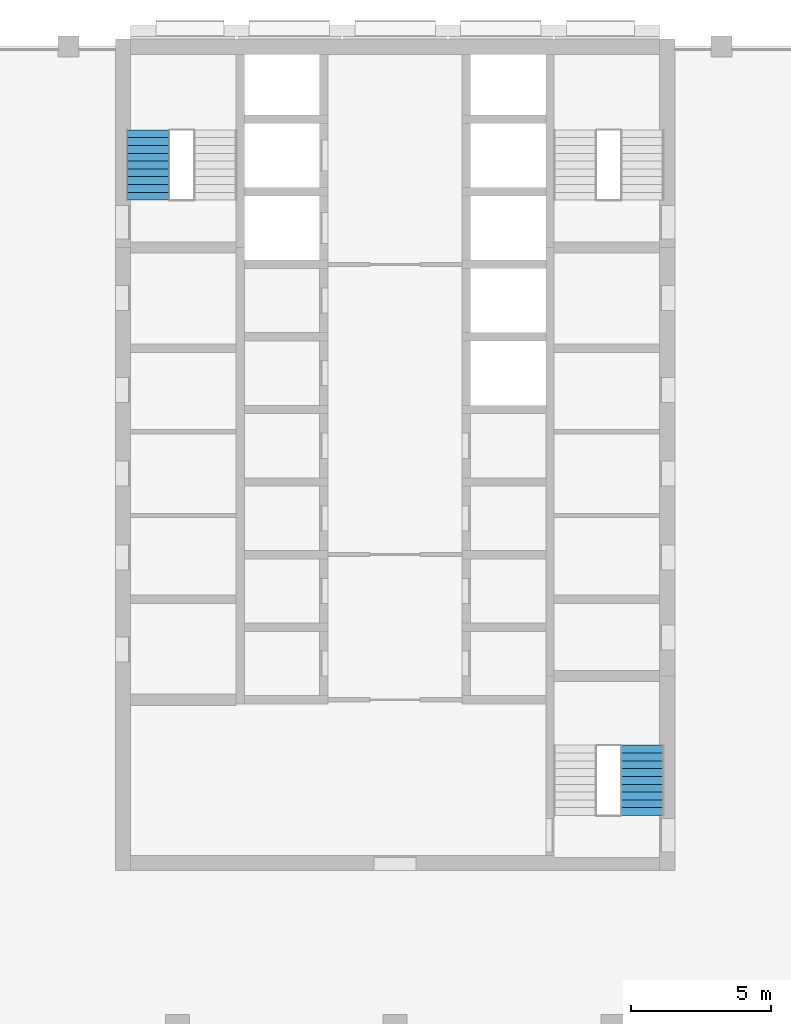
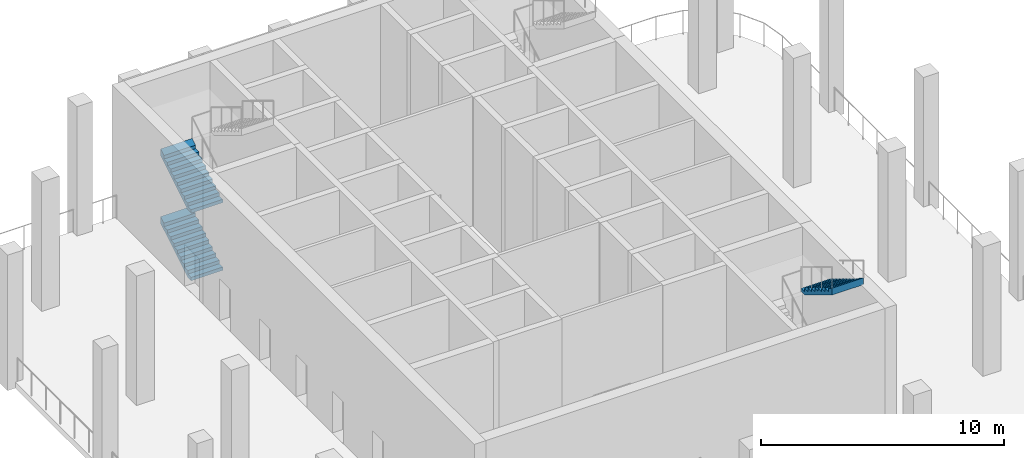
# One storey, part 5 of 10: 3 stair flights, 2 elements without a shape of their own.
"""IFC4 building model written with IfcOpenShell, lengths in metres."""

from ifc_helpers import new_model, si_unit, direction, frame, origin, place, context, subcontext, project, spatial, triangles, material, type_object, element, aggregate, save


model = new_model("IFC4")

# Units and contexts
model_context = context("Model", 3, precision=1e-05, world=origin(), true_north=direction((0.0, 1.0)))
body_context = subcontext(model_context, "Body", "Model", "MODEL_VIEW")
ifc_project = project(units=[si_unit("LENGTHUNIT", "METRE"), si_unit("AREAUNIT", "SQUARE_METRE"), si_unit("VOLUMEUNIT", "CUBIC_METRE"), si_unit("PLANEANGLEUNIT", "RADIAN"), si_unit("MASSUNIT", "GRAM", prefix="KILO")], contexts=[model_context])

# Site, building, storey
site_placement = place(None, origin())
site = spatial("IfcSite", under=ifc_project, at=site_placement, CompositionType="ELEMENT")
building_placement = place(site_placement, origin())
building = spatial("IfcBuilding", under=site, at=building_placement, Name="Ludao Terraces", CompositionType="ELEMENT")
storey_placement = place(building_placement, frame((0.0, 0.0, 172.39990234375)))
storey = spatial("IfcBuildingStorey", under=building, at=storey_placement, Name="L47", CompositionType="ELEMENT", Elevation=172.39990234375)

# Stair, stair flights
ifc_material = material(Name="Concrete C40", Category="concrete")
stair_type = type_object("IfcStairType", Name="INT Stair", PredefinedType="HALF_TURN_STAIR", material=ifc_material)
stair_1_placement = place(storey_placement, origin())
stair_1 = element("IfcStair", 1, at=stair_1_placement, inside=storey, type_object=stair_type, Name="EXIT STAIR 1", PredefinedType="HALF_TURN_STAIR")
stair_flight_type = type_object("IfcStairFlightType", Name="INT Stair flight", PredefinedType="STRAIGHT", material=ifc_material)
stair_flight_1_placement = place(storey_placement, frame((76.14990234375, 79.0, 0.0), z_axis=(0.0, 0.0, 1.0), x_axis=(0.0, 1.0, 0.0)))
stair_flight_1 = element("IfcStairFlight", 2, at=stair_flight_1_placement, type_object=stair_flight_type, Name="ST1 flight 1", NumberOfRisers=10, NumberOfTreads=9, PredefinedType="STRAIGHT", RiserHeight=0.17, TreadLength=0.28, context=body_context, shape_type="Tessellation", body=[
    triangles([(0.0, -0.75, 0.0), (0.0, -0.5, 0.0), (0.0, -0.25, 0.0), (0.0, 0.0, 0.0), (0.0, 0.25, 0.0), (0.0, 0.5, 0.0), (0.0, 0.75, 0.0), (0.0, -0.75, 0.169921875), (0.0, -0.5, 0.169921875), (0.0, -0.25, 0.169921875), (0.0, 0.0, 0.169921875), (0.0, 0.25, 0.169921875), (0.0, 0.5, 0.169921875), (0.0, 0.75, 0.169921875), (0.280029296875, -0.75, 0.169921875), (0.280029296875, -0.5, 0.169921875), (0.280029296875, -0.25, 0.169921875), (0.280029296875, 0.0, 0.169921875), (0.280029296875, 0.25, 0.169921875), (0.280029296875, 0.5, 0.169921875), (0.280029296875, 0.75, 0.169921875), (0.280029296875, -0.75, 0.340087890625), (0.280029296875, -0.5, 0.340087890625), (0.280029296875, -0.25, 0.340087890625), (0.280029296875, 0.0, 0.340087890625), (0.280029296875, 0.25, 0.340087890625), (0.280029296875, 0.5, 0.340087890625), (0.280029296875, 0.75, 0.340087890625), (0.56005859375, -0.75, 0.340087890625), (0.56005859375, -0.5, 0.340087890625), (0.56005859375, -0.25, 0.340087890625), (0.56005859375, 0.0, 0.340087890625), (0.56005859375, 0.25, 0.340087890625), (0.56005859375, 0.5, 0.340087890625), (0.56005859375, 0.75, 0.340087890625), (0.56005859375, -0.75, 0.510009765625), (0.56005859375, -0.5, 0.510009765625), (0.56005859375, -0.25, 0.510009765625), (0.56005859375, 0.0, 0.510009765625), (0.56005859375, 0.25, 0.510009765625), (0.56005859375, 0.5, 0.510009765625), (0.56005859375, 0.75, 0.510009765625), (0.840087890625, -0.75, 0.510009765625), (0.840087890625, -0.5, 0.510009765625), (0.840087890625, -0.25, 0.510009765625), (0.840087890625, 0.0, 0.510009765625), (0.840087890625, 0.25, 0.510009765625), (0.840087890625, 0.5, 0.510009765625), (0.840087890625, 0.75, 0.510009765625), (0.840087890625, -0.75, 0.679931640625), (0.840087890625, -0.5, 0.679931640625), (0.840087890625, -0.25, 0.679931640625), (0.840087890625, 0.0, 0.679931640625), (0.840087890625, 0.25, 0.679931640625), (0.840087890625, 0.5, 0.679931640625), (0.840087890625, 0.75, 0.679931640625), (1.1201171875, -0.75, 0.679931640625), (1.1201171875, -0.5, 0.679931640625), (1.1201171875, -0.25, 0.679931640625), (1.1201171875, 0.0, 0.679931640625), (1.1201171875, 0.25, 0.679931640625), (1.1201171875, 0.5, 0.679931640625), (1.1201171875, 0.75, 0.679931640625), (1.1201171875, -0.75, 0.85009765625), (1.1201171875, -0.5, 0.85009765625), (1.1201171875, -0.25, 0.85009765625), (1.1201171875, 0.0, 0.85009765625), (1.1201171875, 0.25, 0.85009765625), (1.1201171875, 0.5, 0.85009765625), (1.1201171875, 0.75, 0.85009765625), (1.39990234375, -0.75, 0.85009765625), (1.39990234375, -0.5, 0.85009765625), (1.39990234375, -0.25, 0.85009765625), (1.39990234375, 0.0, 0.85009765625), (1.39990234375, 0.25, 0.85009765625), (1.39990234375, 0.5, 0.85009765625), (1.39990234375, 0.75, 0.85009765625), (1.39990234375, -0.75, 1.02001953125), (1.39990234375, -0.5, 1.02001953125), (1.39990234375, -0.25, 1.02001953125), (1.39990234375, 0.0, 1.02001953125), (1.39990234375, 0.25, 1.02001953125), (1.39990234375, 0.5, 1.02001953125), (1.39990234375, 0.75, 1.02001953125), (1.679931640625, -0.75, 1.02001953125), (1.679931640625, -0.5, 1.02001953125), (1.679931640625, -0.25, 1.02001953125), (1.679931640625, 0.0, 1.02001953125), (1.679931640625, 0.25, 1.02001953125), (1.679931640625, 0.5, 1.02001953125), (1.679931640625, 0.75, 1.02001953125), (1.679931640625, -0.75, 1.18994140625), (1.679931640625, -0.5, 1.18994140625), (1.679931640625, -0.25, 1.18994140625), (1.679931640625, 0.0, 1.18994140625), (1.679931640625, 0.25, 1.18994140625), (1.679931640625, 0.5, 1.18994140625), (1.679931640625, 0.75, 1.18994140625), (1.9599609375, -0.75, 1.18994140625), (1.9599609375, -0.5, 1.18994140625), (1.9599609375, -0.25, 1.18994140625), (1.9599609375, 0.0, 1.18994140625), (1.9599609375, 0.25, 1.18994140625), (1.9599609375, 0.5, 1.18994140625), (1.9599609375, 0.75, 1.18994140625), (1.9599609375, -0.75, 1.360107421875), (1.9599609375, -0.5, 1.360107421875), (1.9599609375, -0.25, 1.360107421875), (1.9599609375, 0.0, 1.360107421875), (1.9599609375, 0.25, 1.360107421875), (1.9599609375, 0.5, 1.360107421875), (1.9599609375, 0.75, 1.360107421875), (2.239990234375, -0.75, 1.360107421875), (2.239990234375, -0.5, 1.360107421875), (2.239990234375, -0.25, 1.360107421875), (2.239990234375, 0.0, 1.360107421875), (2.239990234375, 0.25, 1.360107421875), (2.239990234375, 0.5, 1.360107421875), (2.239990234375, 0.75, 1.360107421875), (2.239990234375, -0.75, 1.530029296875), (2.239990234375, -0.5, 1.530029296875), (2.239990234375, -0.25, 1.530029296875), (2.239990234375, 0.0, 1.530029296875), (2.239990234375, 0.25, 1.530029296875), (2.239990234375, 0.5, 1.530029296875), (2.239990234375, 0.75, 1.530029296875), (2.52001953125, -0.75, 1.699951171875), (2.52001953125, -0.5, 1.699951171875), (2.52001953125, -0.25, 1.699951171875), (2.52001953125, 0.0, 1.699951171875), (2.52001953125, 0.25, 1.699951171875), (2.52001953125, 0.5, 1.699951171875), (2.52001953125, 0.75, 1.699951171875), (2.52001953125, -0.75, 1.354736328125), (2.52001953125, -0.5, 1.354736328125), (2.52001953125, -0.25, 1.354736328125), (2.52001953125, 0.0, 1.354736328125), (2.52001953125, 0.25, 1.354736328125), (2.52001953125, 0.5, 1.354736328125), (2.52001953125, 0.75, 1.354736328125), (0.288818359375, -0.75, 0.0), (0.288818359375, -0.5, 0.0), (0.288818359375, -0.25, 0.0), (0.288818359375, 0.0, 0.0), (0.288818359375, 0.25, 0.0), (0.288818359375, 0.5, 0.0), (0.288818359375, 0.75, 0.0)], [[1, 141, 134], [7, 140, 147], [134, 127, 120], [140, 126, 133], [134, 120, 113], [140, 119, 126], [134, 113, 106], [140, 112, 119], [134, 106, 99], [140, 105, 112], [99, 92, 85], [105, 91, 98], [134, 99, 85], [140, 91, 105], [85, 78, 71], [91, 77, 84], [134, 85, 71], [140, 77, 91], [71, 64, 57], [77, 63, 70], [134, 71, 57], [140, 63, 77], [57, 50, 43], [63, 49, 56], [134, 57, 43], [140, 49, 63], [43, 36, 29], [49, 35, 42], [134, 43, 29], [140, 35, 49], [29, 22, 15], [35, 21, 28], [134, 29, 15], [140, 21, 35], [1, 134, 15], [7, 21, 140], [15, 8, 1], [21, 7, 14], [1, 9, 2], [1, 8, 9], [2, 10, 3], [2, 9, 10], [3, 11, 4], [3, 10, 11], [4, 12, 5], [4, 11, 12], [5, 13, 6], [5, 12, 13], [6, 14, 7], [6, 13, 14], [8, 16, 9], [8, 15, 16], [9, 17, 10], [9, 16, 17], [10, 18, 11], [10, 17, 18], [11, 19, 12], [11, 18, 19], [12, 20, 13], [12, 19, 20], [13, 21, 14], [13, 20, 21], [15, 23, 16], [15, 22, 23], [16, 24, 17], [16, 23, 24], [17, 25, 18], [17, 24, 25], [18, 26, 19], [18, 25, 26], [19, 27, 20], [19, 26, 27], [20, 28, 21], [20, 27, 28], [22, 30, 23], [22, 29, 30], [23, 31, 24], [23, 30, 31], [24, 32, 25], [24, 31, 32], [25, 33, 26], [25, 32, 33], [26, 34, 27], [26, 33, 34], [27, 35, 28], [27, 34, 35], [29, 37, 30], [29, 36, 37], [30, 38, 31], [30, 37, 38], [31, 39, 32], [31, 38, 39], [32, 40, 33], [32, 39, 40], [33, 41, 34], [33, 40, 41], [34, 42, 35], [34, 41, 42], [36, 44, 37], [36, 43, 44], [37, 45, 38], [37, 44, 45], [38, 46, 39], [38, 45, 46], [39, 47, 40], [39, 46, 47], [40, 48, 41], [40, 47, 48], [41, 49, 42], [41, 48, 49], [43, 51, 44], [43, 50, 51], [44, 52, 45], [44, 51, 52], [45, 53, 46], [45, 52, 53], [46, 54, 47], [46, 53, 54], [47, 55, 48], [47, 54, 55], [48, 56, 49], [48, 55, 56], [50, 58, 51], [50, 57, 58], [51, 59, 52], [51, 58, 59], [52, 60, 53], [52, 59, 60], [53, 61, 54], [53, 60, 61], [54, 62, 55], [54, 61, 62], [55, 63, 56], [55, 62, 63], [57, 65, 58], [57, 64, 65], [58, 66, 59], [58, 65, 66], [59, 67, 60], [59, 66, 67], [60, 68, 61], [60, 67, 68], [61, 69, 62], [61, 68, 69], [62, 70, 63], [62, 69, 70], [64, 72, 65], [64, 71, 72], [65, 73, 66], [65, 72, 73], [66, 74, 67], [66, 73, 74], [67, 75, 68], [67, 74, 75], [68, 76, 69], [68, 75, 76], [69, 77, 70], [69, 76, 77], [71, 79, 72], [71, 78, 79], [72, 80, 73], [72, 79, 80], [73, 81, 74], [73, 80, 81], [74, 82, 75], [74, 81, 82], [75, 83, 76], [75, 82, 83], [76, 84, 77], [76, 83, 84], [78, 86, 79], [78, 85, 86], [79, 87, 80], [79, 86, 87], [80, 88, 81], [80, 87, 88], [81, 89, 82], [81, 88, 89], [82, 90, 83], [82, 89, 90], [83, 91, 84], [83, 90, 91], [85, 93, 86], [85, 92, 93], [86, 94, 87], [86, 93, 94], [87, 95, 88], [87, 94, 95], [88, 96, 89], [88, 95, 96], [89, 97, 90], [89, 96, 97], [90, 98, 91], [90, 97, 98], [92, 100, 93], [92, 99, 100], [93, 101, 94], [93, 100, 101], [94, 102, 95], [94, 101, 102], [95, 103, 96], [95, 102, 103], [96, 104, 97], [96, 103, 104], [97, 105, 98], [97, 104, 105], [99, 107, 100], [99, 106, 107], [100, 108, 101], [100, 107, 108], [101, 109, 102], [101, 108, 109], [102, 110, 103], [102, 109, 110], [103, 111, 104], [103, 110, 111], [104, 112, 105], [104, 111, 112], [106, 114, 107], [106, 113, 114], [107, 115, 108], [107, 114, 115], [108, 116, 109], [108, 115, 116], [109, 117, 110], [109, 116, 117], [110, 118, 111], [110, 117, 118], [111, 119, 112], [111, 118, 119], [113, 121, 114], [113, 120, 121], [114, 122, 115], [114, 121, 122], [115, 123, 116], [115, 122, 123], [116, 124, 117], [116, 123, 124], [117, 125, 118], [117, 124, 125], [118, 126, 119], [118, 125, 126], [120, 128, 121], [120, 127, 128], [121, 129, 122], [121, 128, 129], [122, 130, 123], [122, 129, 130], [123, 131, 124], [123, 130, 131], [124, 132, 125], [124, 131, 132], [125, 133, 126], [125, 132, 133], [127, 135, 128], [127, 134, 135], [128, 136, 129], [128, 135, 136], [129, 137, 130], [129, 136, 137], [130, 138, 131], [130, 137, 138], [131, 139, 132], [131, 138, 139], [132, 140, 133], [132, 139, 140], [134, 142, 135], [134, 141, 142], [135, 143, 136], [135, 142, 143], [136, 144, 137], [136, 143, 144], [137, 145, 138], [137, 144, 145], [138, 146, 139], [138, 145, 146], [139, 147, 140], [139, 146, 147], [141, 2, 142], [141, 1, 2], [142, 3, 143], [142, 2, 3], [143, 4, 144], [143, 3, 4], [144, 5, 145], [144, 4, 5], [145, 6, 146], [145, 5, 6], [146, 7, 147], [146, 6, 7]], closed=True),
])
stair_flight_2_placement = place(storey_placement, frame((76.14990234375, 79.0, 3.400146484375), z_axis=(0.0, 0.0, 1.0), x_axis=(0.0, 1.0, 0.0)))
stair_flight_2 = element("IfcStairFlight", 3, at=stair_flight_2_placement, type_object=stair_flight_type, Name="ST1 flight 3", NumberOfRisers=10, NumberOfTreads=9, PredefinedType="STRAIGHT", RiserHeight=0.17, TreadLength=0.28, context=body_context, shape_type="Tessellation", body=[
    triangles([(0.0, -0.75, 0.0), (0.0, -0.5, 0.0), (0.0, -0.25, 0.0), (0.0, 0.0, 0.0), (0.0, 0.25, 0.0), (0.0, 0.5, 0.0), (0.0, 0.75, 0.0), (0.0, -0.75, 0.169921875), (0.0, -0.5, 0.169921875), (0.0, -0.25, 0.169921875), (0.0, 0.0, 0.169921875), (0.0, 0.25, 0.169921875), (0.0, 0.5, 0.169921875), (0.0, 0.75, 0.169921875), (0.280029296875, -0.75, 0.169921875), (0.280029296875, -0.5, 0.169921875), (0.280029296875, -0.25, 0.169921875), (0.280029296875, 0.0, 0.169921875), (0.280029296875, 0.25, 0.169921875), (0.280029296875, 0.5, 0.169921875), (0.280029296875, 0.75, 0.169921875), (0.280029296875, -0.75, 0.340087890625), (0.280029296875, -0.5, 0.340087890625), (0.280029296875, -0.25, 0.340087890625), (0.280029296875, 0.0, 0.340087890625), (0.280029296875, 0.25, 0.340087890625), (0.280029296875, 0.5, 0.340087890625), (0.280029296875, 0.75, 0.340087890625), (0.56005859375, -0.75, 0.340087890625), (0.56005859375, -0.5, 0.340087890625), (0.56005859375, -0.25, 0.340087890625), (0.56005859375, 0.0, 0.340087890625), (0.56005859375, 0.25, 0.340087890625), (0.56005859375, 0.5, 0.340087890625), (0.56005859375, 0.75, 0.340087890625), (0.56005859375, -0.75, 0.510009765625), (0.56005859375, -0.5, 0.510009765625), (0.56005859375, -0.25, 0.510009765625), (0.56005859375, 0.0, 0.510009765625), (0.56005859375, 0.25, 0.510009765625), (0.56005859375, 0.5, 0.510009765625), (0.56005859375, 0.75, 0.510009765625), (0.840087890625, -0.75, 0.510009765625), (0.840087890625, -0.5, 0.510009765625), (0.840087890625, -0.25, 0.510009765625), (0.840087890625, 0.0, 0.510009765625), (0.840087890625, 0.25, 0.510009765625), (0.840087890625, 0.5, 0.510009765625), (0.840087890625, 0.75, 0.510009765625), (0.840087890625, -0.75, 0.679931640625), (0.840087890625, -0.5, 0.679931640625), (0.840087890625, -0.25, 0.679931640625), (0.840087890625, 0.0, 0.679931640625), (0.840087890625, 0.25, 0.679931640625), (0.840087890625, 0.5, 0.679931640625), (0.840087890625, 0.75, 0.679931640625), (1.1201171875, -0.75, 0.679931640625), (1.1201171875, -0.5, 0.679931640625), (1.1201171875, -0.25, 0.679931640625), (1.1201171875, 0.0, 0.679931640625), (1.1201171875, 0.25, 0.679931640625), (1.1201171875, 0.5, 0.679931640625), (1.1201171875, 0.75, 0.679931640625), (1.1201171875, -0.75, 0.85009765625), (1.1201171875, -0.5, 0.85009765625), (1.1201171875, -0.25, 0.85009765625), (1.1201171875, 0.0, 0.85009765625), (1.1201171875, 0.25, 0.85009765625), (1.1201171875, 0.5, 0.85009765625), (1.1201171875, 0.75, 0.85009765625), (1.39990234375, -0.75, 0.85009765625), (1.39990234375, -0.5, 0.85009765625), (1.39990234375, -0.25, 0.85009765625), (1.39990234375, 0.0, 0.85009765625), (1.39990234375, 0.25, 0.85009765625), (1.39990234375, 0.5, 0.85009765625), (1.39990234375, 0.75, 0.85009765625), (1.39990234375, -0.75, 1.02001953125), (1.39990234375, -0.5, 1.02001953125), (1.39990234375, -0.25, 1.02001953125), (1.39990234375, 0.0, 1.02001953125), (1.39990234375, 0.25, 1.02001953125), (1.39990234375, 0.5, 1.02001953125), (1.39990234375, 0.75, 1.02001953125), (1.679931640625, -0.75, 1.02001953125), (1.679931640625, -0.5, 1.02001953125), (1.679931640625, -0.25, 1.02001953125), (1.679931640625, 0.0, 1.02001953125), (1.679931640625, 0.25, 1.02001953125), (1.679931640625, 0.5, 1.02001953125), (1.679931640625, 0.75, 1.02001953125), (1.679931640625, -0.75, 1.18994140625), (1.679931640625, -0.5, 1.18994140625), (1.679931640625, -0.25, 1.18994140625), (1.679931640625, 0.0, 1.18994140625), (1.679931640625, 0.25, 1.18994140625), (1.679931640625, 0.5, 1.18994140625), (1.679931640625, 0.75, 1.18994140625), (1.9599609375, -0.75, 1.18994140625), (1.9599609375, -0.5, 1.18994140625), (1.9599609375, -0.25, 1.18994140625), (1.9599609375, 0.0, 1.18994140625), (1.9599609375, 0.25, 1.18994140625), (1.9599609375, 0.5, 1.18994140625), (1.9599609375, 0.75, 1.18994140625), (1.9599609375, -0.75, 1.360107421875), (1.9599609375, -0.5, 1.360107421875), (1.9599609375, -0.25, 1.360107421875), (1.9599609375, 0.0, 1.360107421875), (1.9599609375, 0.25, 1.360107421875), (1.9599609375, 0.5, 1.360107421875), (1.9599609375, 0.75, 1.360107421875), (2.239990234375, -0.75, 1.360107421875), (2.239990234375, -0.5, 1.360107421875), (2.239990234375, -0.25, 1.360107421875), (2.239990234375, 0.0, 1.360107421875), (2.239990234375, 0.25, 1.360107421875), (2.239990234375, 0.5, 1.360107421875), (2.239990234375, 0.75, 1.360107421875), (2.239990234375, -0.75, 1.530029296875), (2.239990234375, -0.5, 1.530029296875), (2.239990234375, -0.25, 1.530029296875), (2.239990234375, 0.0, 1.530029296875), (2.239990234375, 0.25, 1.530029296875), (2.239990234375, 0.5, 1.530029296875), (2.239990234375, 0.75, 1.530029296875), (2.52001953125, -0.75, 1.699951171875), (2.52001953125, -0.5, 1.699951171875), (2.52001953125, -0.25, 1.699951171875), (2.52001953125, 0.0, 1.699951171875), (2.52001953125, 0.25, 1.699951171875), (2.52001953125, 0.5, 1.699951171875), (2.52001953125, 0.75, 1.699951171875), (2.52001953125, -0.75, 1.354736328125), (2.52001953125, -0.5, 1.354736328125), (2.52001953125, -0.25, 1.354736328125), (2.52001953125, 0.0, 1.354736328125), (2.52001953125, 0.25, 1.354736328125), (2.52001953125, 0.5, 1.354736328125), (2.52001953125, 0.75, 1.354736328125), (0.288818359375, -0.75, 0.0), (0.288818359375, -0.5, 0.0), (0.288818359375, -0.25, 0.0), (0.288818359375, 0.0, 0.0), (0.288818359375, 0.25, 0.0), (0.288818359375, 0.5, 0.0), (0.288818359375, 0.75, 0.0)], [[1, 141, 134], [7, 140, 147], [134, 127, 120], [140, 126, 133], [134, 120, 113], [140, 119, 126], [134, 113, 106], [140, 112, 119], [134, 106, 99], [140, 105, 112], [99, 92, 85], [105, 91, 98], [134, 99, 85], [140, 91, 105], [85, 78, 71], [91, 77, 84], [134, 85, 71], [140, 77, 91], [71, 64, 57], [77, 63, 70], [134, 71, 57], [140, 63, 77], [57, 50, 43], [63, 49, 56], [134, 57, 43], [140, 49, 63], [43, 36, 29], [49, 35, 42], [134, 43, 29], [140, 35, 49], [29, 22, 15], [35, 21, 28], [134, 29, 15], [140, 21, 35], [1, 134, 15], [7, 21, 140], [15, 8, 1], [21, 7, 14], [1, 9, 2], [1, 8, 9], [2, 10, 3], [2, 9, 10], [3, 11, 4], [3, 10, 11], [4, 12, 5], [4, 11, 12], [5, 13, 6], [5, 12, 13], [6, 14, 7], [6, 13, 14], [8, 16, 9], [8, 15, 16], [9, 17, 10], [9, 16, 17], [10, 18, 11], [10, 17, 18], [11, 19, 12], [11, 18, 19], [12, 20, 13], [12, 19, 20], [13, 21, 14], [13, 20, 21], [15, 23, 16], [15, 22, 23], [16, 24, 17], [16, 23, 24], [17, 25, 18], [17, 24, 25], [18, 26, 19], [18, 25, 26], [19, 27, 20], [19, 26, 27], [20, 28, 21], [20, 27, 28], [22, 30, 23], [22, 29, 30], [23, 31, 24], [23, 30, 31], [24, 32, 25], [24, 31, 32], [25, 33, 26], [25, 32, 33], [26, 34, 27], [26, 33, 34], [27, 35, 28], [27, 34, 35], [29, 37, 30], [29, 36, 37], [30, 38, 31], [30, 37, 38], [31, 39, 32], [31, 38, 39], [32, 40, 33], [32, 39, 40], [33, 41, 34], [33, 40, 41], [34, 42, 35], [34, 41, 42], [36, 44, 37], [36, 43, 44], [37, 45, 38], [37, 44, 45], [38, 46, 39], [38, 45, 46], [39, 47, 40], [39, 46, 47], [40, 48, 41], [40, 47, 48], [41, 49, 42], [41, 48, 49], [43, 51, 44], [43, 50, 51], [44, 52, 45], [44, 51, 52], [45, 53, 46], [45, 52, 53], [46, 54, 47], [46, 53, 54], [47, 55, 48], [47, 54, 55], [48, 56, 49], [48, 55, 56], [50, 58, 51], [50, 57, 58], [51, 59, 52], [51, 58, 59], [52, 60, 53], [52, 59, 60], [53, 61, 54], [53, 60, 61], [54, 62, 55], [54, 61, 62], [55, 63, 56], [55, 62, 63], [57, 65, 58], [57, 64, 65], [58, 66, 59], [58, 65, 66], [59, 67, 60], [59, 66, 67], [60, 68, 61], [60, 67, 68], [61, 69, 62], [61, 68, 69], [62, 70, 63], [62, 69, 70], [64, 72, 65], [64, 71, 72], [65, 73, 66], [65, 72, 73], [66, 74, 67], [66, 73, 74], [67, 75, 68], [67, 74, 75], [68, 76, 69], [68, 75, 76], [69, 77, 70], [69, 76, 77], [71, 79, 72], [71, 78, 79], [72, 80, 73], [72, 79, 80], [73, 81, 74], [73, 80, 81], [74, 82, 75], [74, 81, 82], [75, 83, 76], [75, 82, 83], [76, 84, 77], [76, 83, 84], [78, 86, 79], [78, 85, 86], [79, 87, 80], [79, 86, 87], [80, 88, 81], [80, 87, 88], [81, 89, 82], [81, 88, 89], [82, 90, 83], [82, 89, 90], [83, 91, 84], [83, 90, 91], [85, 93, 86], [85, 92, 93], [86, 94, 87], [86, 93, 94], [87, 95, 88], [87, 94, 95], [88, 96, 89], [88, 95, 96], [89, 97, 90], [89, 96, 97], [90, 98, 91], [90, 97, 98], [92, 100, 93], [92, 99, 100], [93, 101, 94], [93, 100, 101], [94, 102, 95], [94, 101, 102], [95, 103, 96], [95, 102, 103], [96, 104, 97], [96, 103, 104], [97, 105, 98], [97, 104, 105], [99, 107, 100], [99, 106, 107], [100, 108, 101], [100, 107, 108], [101, 109, 102], [101, 108, 109], [102, 110, 103], [102, 109, 110], [103, 111, 104], [103, 110, 111], [104, 112, 105], [104, 111, 112], [106, 114, 107], [106, 113, 114], [107, 115, 108], [107, 114, 115], [108, 116, 109], [108, 115, 116], [109, 117, 110], [109, 116, 117], [110, 118, 111], [110, 117, 118], [111, 119, 112], [111, 118, 119], [113, 121, 114], [113, 120, 121], [114, 122, 115], [114, 121, 122], [115, 123, 116], [115, 122, 123], [116, 124, 117], [116, 123, 124], [117, 125, 118], [117, 124, 125], [118, 126, 119], [118, 125, 126], [120, 128, 121], [120, 127, 128], [121, 129, 122], [121, 128, 129], [122, 130, 123], [122, 129, 130], [123, 131, 124], [123, 130, 131], [124, 132, 125], [124, 131, 132], [125, 133, 126], [125, 132, 133], [127, 135, 128], [127, 134, 135], [128, 136, 129], [128, 135, 136], [129, 137, 130], [129, 136, 137], [130, 138, 131], [130, 137, 138], [131, 139, 132], [131, 138, 139], [132, 140, 133], [132, 139, 140], [134, 142, 135], [134, 141, 142], [135, 143, 136], [135, 142, 143], [136, 144, 137], [136, 143, 144], [137, 145, 138], [137, 144, 145], [138, 146, 139], [138, 145, 146], [139, 147, 140], [139, 146, 147], [141, 2, 142], [141, 1, 2], [142, 3, 143], [142, 2, 3], [143, 4, 144], [143, 3, 4], [144, 5, 145], [144, 4, 5], [145, 6, 146], [145, 5, 6], [146, 7, 147], [146, 6, 7]], closed=True),
])
aggregate(stair_1, [stair_flight_1, stair_flight_2])

# Stair, stair flight
stair_2_placement = place(storey_placement, origin())
stair_2 = element("IfcStair", 4, at=stair_2_placement, inside=storey, type_object=stair_type, Name="EXIT STAIR 3", PredefinedType="HALF_TURN_STAIR")
stair_flight_3_placement = place(storey_placement, frame((93.85009765625, 59.469970703125, 5.10009765625), z_axis=(0.0, 0.0, 1.0), x_axis=(0.0, -1.0, 0.0)))
stair_flight_3 = element("IfcStairFlight", 5, at=stair_flight_3_placement, type_object=stair_flight_type, Name="ST3 flight 4", NumberOfRisers=10, NumberOfTreads=9, PredefinedType="STRAIGHT", RiserHeight=0.17, TreadLength=0.28, context=body_context, shape_type="Tessellation", body=[
    triangles([(0.0, -0.75, 0.0), (0.0, -0.5, 0.0), (0.0, -0.25, 0.0), (0.0, 0.0, 0.0), (0.0, 0.25, 0.0), (0.0, 0.5, 0.0), (0.0, 0.75, 0.0), (0.0, -0.75, 0.169921875), (0.0, -0.5, 0.169921875), (0.0, -0.25, 0.169921875), (0.0, 0.0, 0.169921875), (0.0, 0.25, 0.169921875), (0.0, 0.5, 0.169921875), (0.0, 0.75, 0.169921875), (0.280029296875, -0.75, 0.169921875), (0.280029296875, -0.5, 0.169921875), (0.280029296875, -0.25, 0.169921875), (0.280029296875, 0.0, 0.169921875), (0.280029296875, 0.25, 0.169921875), (0.280029296875, 0.5, 0.169921875), (0.280029296875, 0.75, 0.169921875), (0.280029296875, -0.75, 0.340087890625), (0.280029296875, -0.5, 0.340087890625), (0.280029296875, -0.25, 0.340087890625), (0.280029296875, 0.0, 0.340087890625), (0.280029296875, 0.25, 0.340087890625), (0.280029296875, 0.5, 0.340087890625), (0.280029296875, 0.75, 0.340087890625), (0.56005859375, -0.75, 0.340087890625), (0.56005859375, -0.5, 0.340087890625), (0.56005859375, -0.25, 0.340087890625), (0.56005859375, 0.0, 0.340087890625), (0.56005859375, 0.25, 0.340087890625), (0.56005859375, 0.5, 0.340087890625), (0.56005859375, 0.75, 0.340087890625), (0.56005859375, -0.75, 0.510009765625), (0.56005859375, -0.5, 0.510009765625), (0.56005859375, -0.25, 0.510009765625), (0.56005859375, 0.0, 0.510009765625), (0.56005859375, 0.25, 0.510009765625), (0.56005859375, 0.5, 0.510009765625), (0.56005859375, 0.75, 0.510009765625), (0.840087890625, -0.75, 0.510009765625), (0.840087890625, -0.5, 0.510009765625), (0.840087890625, -0.25, 0.510009765625), (0.840087890625, 0.0, 0.510009765625), (0.840087890625, 0.25, 0.510009765625), (0.840087890625, 0.5, 0.510009765625), (0.840087890625, 0.75, 0.510009765625), (0.840087890625, -0.75, 0.679931640625), (0.840087890625, -0.5, 0.679931640625), (0.840087890625, -0.25, 0.679931640625), (0.840087890625, 0.0, 0.679931640625), (0.840087890625, 0.25, 0.679931640625), (0.840087890625, 0.5, 0.679931640625), (0.840087890625, 0.75, 0.679931640625), (1.1201171875, -0.75, 0.679931640625), (1.1201171875, -0.5, 0.679931640625), (1.1201171875, -0.25, 0.679931640625), (1.1201171875, 0.0, 0.679931640625), (1.1201171875, 0.25, 0.679931640625), (1.1201171875, 0.5, 0.679931640625), (1.1201171875, 0.75, 0.679931640625), (1.1201171875, -0.75, 0.85009765625), (1.1201171875, -0.5, 0.85009765625), (1.1201171875, -0.25, 0.85009765625), (1.1201171875, 0.0, 0.85009765625), (1.1201171875, 0.25, 0.85009765625), (1.1201171875, 0.5, 0.85009765625), (1.1201171875, 0.75, 0.85009765625), (1.39990234375, -0.75, 0.85009765625), (1.39990234375, -0.5, 0.85009765625), (1.39990234375, -0.25, 0.85009765625), (1.39990234375, 0.0, 0.85009765625), (1.39990234375, 0.25, 0.85009765625), (1.39990234375, 0.5, 0.85009765625), (1.39990234375, 0.75, 0.85009765625), (1.39990234375, -0.75, 1.02001953125), (1.39990234375, -0.5, 1.02001953125), (1.39990234375, -0.25, 1.02001953125), (1.39990234375, 0.0, 1.02001953125), (1.39990234375, 0.25, 1.02001953125), (1.39990234375, 0.5, 1.02001953125), (1.39990234375, 0.75, 1.02001953125), (1.679931640625, -0.75, 1.02001953125), (1.679931640625, -0.5, 1.02001953125), (1.679931640625, -0.25, 1.02001953125), (1.679931640625, 0.0, 1.02001953125), (1.679931640625, 0.25, 1.02001953125), (1.679931640625, 0.5, 1.02001953125), (1.679931640625, 0.75, 1.02001953125), (1.679931640625, -0.75, 1.18994140625), (1.679931640625, -0.5, 1.18994140625), (1.679931640625, -0.25, 1.18994140625), (1.679931640625, 0.0, 1.18994140625), (1.679931640625, 0.25, 1.18994140625), (1.679931640625, 0.5, 1.18994140625), (1.679931640625, 0.75, 1.18994140625), (1.9599609375, -0.75, 1.18994140625), (1.9599609375, -0.5, 1.18994140625), (1.9599609375, -0.25, 1.18994140625), (1.9599609375, 0.0, 1.18994140625), (1.9599609375, 0.25, 1.18994140625), (1.9599609375, 0.5, 1.18994140625), (1.9599609375, 0.75, 1.18994140625), (1.9599609375, -0.75, 1.360107421875), (1.9599609375, -0.5, 1.360107421875), (1.9599609375, -0.25, 1.360107421875), (1.9599609375, 0.0, 1.360107421875), (1.9599609375, 0.25, 1.360107421875), (1.9599609375, 0.5, 1.360107421875), (1.9599609375, 0.75, 1.360107421875), (2.239990234375, -0.75, 1.360107421875), (2.239990234375, -0.5, 1.360107421875), (2.239990234375, -0.25, 1.360107421875), (2.239990234375, 0.0, 1.360107421875), (2.239990234375, 0.25, 1.360107421875), (2.239990234375, 0.5, 1.360107421875), (2.239990234375, 0.75, 1.360107421875), (2.239990234375, -0.75, 1.530029296875), (2.239990234375, -0.5, 1.530029296875), (2.239990234375, -0.25, 1.530029296875), (2.239990234375, 0.0, 1.530029296875), (2.239990234375, 0.25, 1.530029296875), (2.239990234375, 0.5, 1.530029296875), (2.239990234375, 0.75, 1.530029296875), (2.52001953125, -0.75, 1.699951171875), (2.52001953125, -0.5, 1.699951171875), (2.52001953125, -0.25, 1.699951171875), (2.52001953125, 0.0, 1.699951171875), (2.52001953125, 0.25, 1.699951171875), (2.52001953125, 0.5, 1.699951171875), (2.52001953125, 0.75, 1.699951171875), (2.52001953125, -0.75, 1.354736328125), (2.52001953125, -0.5, 1.354736328125), (2.52001953125, -0.25, 1.354736328125), (2.52001953125, 0.0, 1.354736328125), (2.52001953125, 0.25, 1.354736328125), (2.52001953125, 0.5, 1.354736328125), (2.52001953125, 0.75, 1.354736328125), (0.288818359375, -0.75, 0.0), (0.288818359375, -0.5, 0.0), (0.288818359375, -0.25, 0.0), (0.288818359375, 0.0, 0.0), (0.288818359375, 0.25, 0.0), (0.288818359375, 0.5, 0.0), (0.288818359375, 0.75, 0.0)], [[1, 141, 134], [7, 140, 147], [134, 127, 120], [140, 126, 133], [134, 120, 113], [140, 119, 126], [134, 113, 106], [140, 112, 119], [134, 106, 99], [140, 105, 112], [99, 92, 85], [105, 91, 98], [134, 99, 85], [140, 91, 105], [85, 78, 71], [91, 77, 84], [134, 85, 71], [140, 77, 91], [71, 64, 57], [77, 63, 70], [134, 71, 57], [140, 63, 77], [57, 50, 43], [63, 49, 56], [134, 57, 43], [140, 49, 63], [43, 36, 29], [49, 35, 42], [134, 43, 29], [140, 35, 49], [29, 22, 15], [35, 21, 28], [134, 29, 15], [140, 21, 35], [1, 134, 15], [7, 21, 140], [15, 8, 1], [21, 7, 14], [1, 9, 2], [1, 8, 9], [2, 10, 3], [2, 9, 10], [3, 11, 4], [3, 10, 11], [4, 12, 5], [4, 11, 12], [5, 13, 6], [5, 12, 13], [6, 14, 7], [6, 13, 14], [8, 16, 9], [8, 15, 16], [9, 17, 10], [9, 16, 17], [10, 18, 11], [10, 17, 18], [11, 19, 12], [11, 18, 19], [12, 20, 13], [12, 19, 20], [13, 21, 14], [13, 20, 21], [15, 23, 16], [15, 22, 23], [16, 24, 17], [16, 23, 24], [17, 25, 18], [17, 24, 25], [18, 26, 19], [18, 25, 26], [19, 27, 20], [19, 26, 27], [20, 28, 21], [20, 27, 28], [22, 30, 23], [22, 29, 30], [23, 31, 24], [23, 30, 31], [24, 32, 25], [24, 31, 32], [25, 33, 26], [25, 32, 33], [26, 34, 27], [26, 33, 34], [27, 35, 28], [27, 34, 35], [29, 37, 30], [29, 36, 37], [30, 38, 31], [30, 37, 38], [31, 39, 32], [31, 38, 39], [32, 40, 33], [32, 39, 40], [33, 41, 34], [33, 40, 41], [34, 42, 35], [34, 41, 42], [36, 44, 37], [36, 43, 44], [37, 45, 38], [37, 44, 45], [38, 46, 39], [38, 45, 46], [39, 47, 40], [39, 46, 47], [40, 48, 41], [40, 47, 48], [41, 49, 42], [41, 48, 49], [43, 51, 44], [43, 50, 51], [44, 52, 45], [44, 51, 52], [45, 53, 46], [45, 52, 53], [46, 54, 47], [46, 53, 54], [47, 55, 48], [47, 54, 55], [48, 56, 49], [48, 55, 56], [50, 58, 51], [50, 57, 58], [51, 59, 52], [51, 58, 59], [52, 60, 53], [52, 59, 60], [53, 61, 54], [53, 60, 61], [54, 62, 55], [54, 61, 62], [55, 63, 56], [55, 62, 63], [57, 65, 58], [57, 64, 65], [58, 66, 59], [58, 65, 66], [59, 67, 60], [59, 66, 67], [60, 68, 61], [60, 67, 68], [61, 69, 62], [61, 68, 69], [62, 70, 63], [62, 69, 70], [64, 72, 65], [64, 71, 72], [65, 73, 66], [65, 72, 73], [66, 74, 67], [66, 73, 74], [67, 75, 68], [67, 74, 75], [68, 76, 69], [68, 75, 76], [69, 77, 70], [69, 76, 77], [71, 79, 72], [71, 78, 79], [72, 80, 73], [72, 79, 80], [73, 81, 74], [73, 80, 81], [74, 82, 75], [74, 81, 82], [75, 83, 76], [75, 82, 83], [76, 84, 77], [76, 83, 84], [78, 86, 79], [78, 85, 86], [79, 87, 80], [79, 86, 87], [80, 88, 81], [80, 87, 88], [81, 89, 82], [81, 88, 89], [82, 90, 83], [82, 89, 90], [83, 91, 84], [83, 90, 91], [85, 93, 86], [85, 92, 93], [86, 94, 87], [86, 93, 94], [87, 95, 88], [87, 94, 95], [88, 96, 89], [88, 95, 96], [89, 97, 90], [89, 96, 97], [90, 98, 91], [90, 97, 98], [92, 100, 93], [92, 99, 100], [93, 101, 94], [93, 100, 101], [94, 102, 95], [94, 101, 102], [95, 103, 96], [95, 102, 103], [96, 104, 97], [96, 103, 104], [97, 105, 98], [97, 104, 105], [99, 107, 100], [99, 106, 107], [100, 108, 101], [100, 107, 108], [101, 109, 102], [101, 108, 109], [102, 110, 103], [102, 109, 110], [103, 111, 104], [103, 110, 111], [104, 112, 105], [104, 111, 112], [106, 114, 107], [106, 113, 114], [107, 115, 108], [107, 114, 115], [108, 116, 109], [108, 115, 116], [109, 117, 110], [109, 116, 117], [110, 118, 111], [110, 117, 118], [111, 119, 112], [111, 118, 119], [113, 121, 114], [113, 120, 121], [114, 122, 115], [114, 121, 122], [115, 123, 116], [115, 122, 123], [116, 124, 117], [116, 123, 124], [117, 125, 118], [117, 124, 125], [118, 126, 119], [118, 125, 126], [120, 128, 121], [120, 127, 128], [121, 129, 122], [121, 128, 129], [122, 130, 123], [122, 129, 130], [123, 131, 124], [123, 130, 131], [124, 132, 125], [124, 131, 132], [125, 133, 126], [125, 132, 133], [127, 135, 128], [127, 134, 135], [128, 136, 129], [128, 135, 136], [129, 137, 130], [129, 136, 137], [130, 138, 131], [130, 137, 138], [131, 139, 132], [131, 138, 139], [132, 140, 133], [132, 139, 140], [134, 142, 135], [134, 141, 142], [135, 143, 136], [135, 142, 143], [136, 144, 137], [136, 143, 144], [137, 145, 138], [137, 144, 145], [138, 146, 139], [138, 145, 146], [139, 147, 140], [139, 146, 147], [141, 2, 142], [141, 1, 2], [142, 3, 143], [142, 2, 3], [143, 4, 144], [143, 3, 4], [144, 5, 145], [144, 4, 5], [145, 6, 146], [145, 5, 6], [146, 7, 147], [146, 6, 7]], closed=True),
])
aggregate(stair_2, [stair_flight_3])

save(model, "model.ifc")
